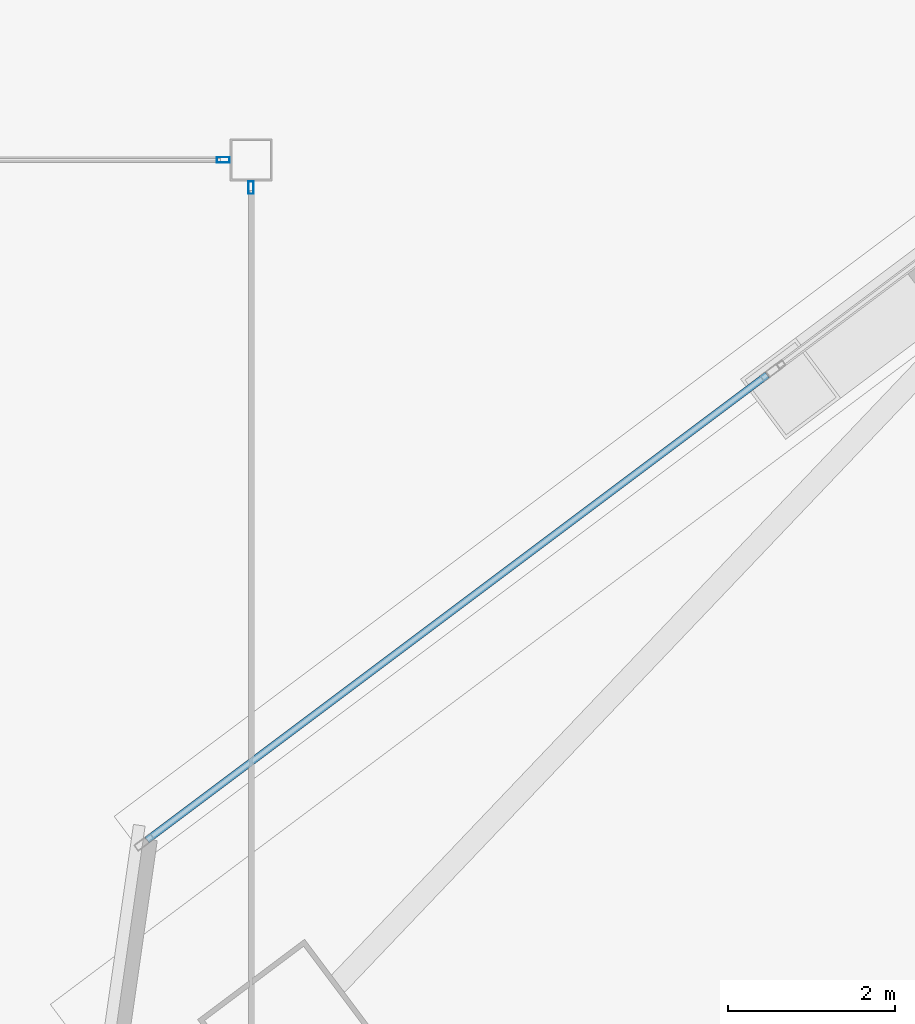
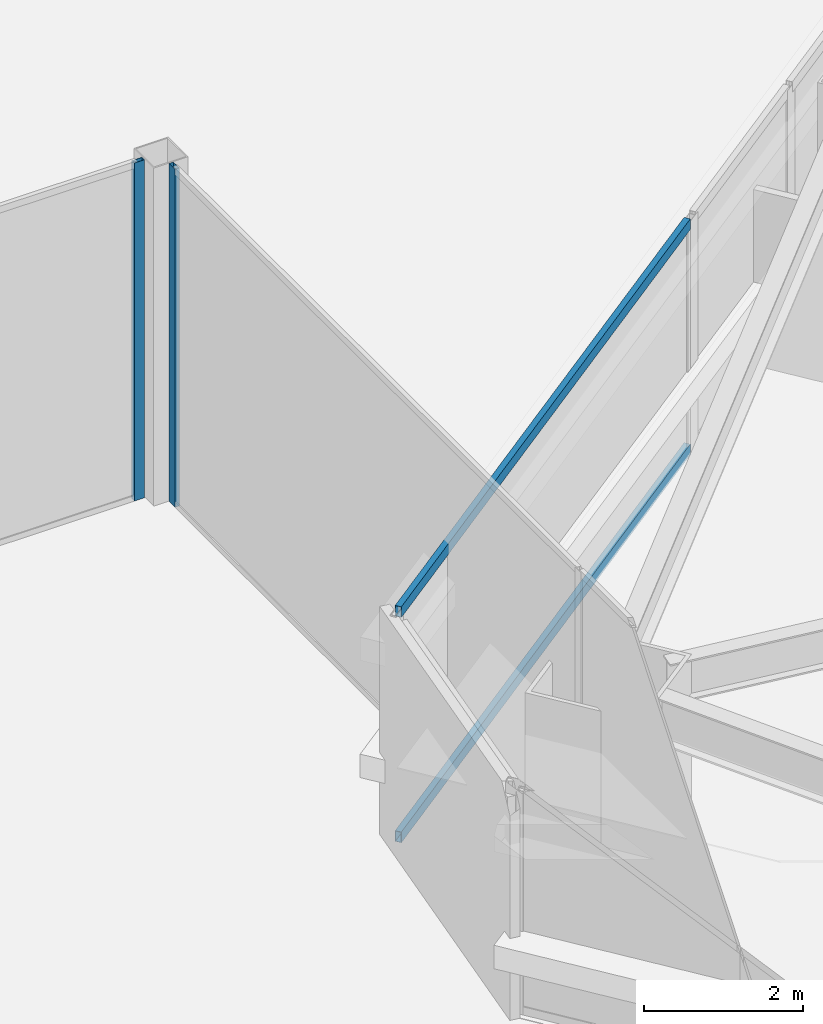
# One storey, part 47 of 83: 4 members, 3 elements without a shape of their own.
"""IFC4 building model written with IfcOpenShell, lengths in metres."""

from ifc_helpers import new_model, si_unit, direction, frame, origin, origin_2d, place, context, subcontext, project, spatial, hollow_rectangle, extrude, material, material_profile, profile_set, type_object, element, aggregate, save


model = new_model("IFC4")

# Units and contexts
model_context = context("Model", 3, precision=1e-05, world=origin(), true_north=direction((0.0, 1.0)))
body_context = subcontext(model_context, "Body", "Model", "MODEL_VIEW")
ifc_project = project(units=[si_unit("LENGTHUNIT", "METRE"), si_unit("AREAUNIT", "SQUARE_METRE"), si_unit("VOLUMEUNIT", "CUBIC_METRE"), si_unit("PLANEANGLEUNIT", "RADIAN"), si_unit("MASSUNIT", "GRAM", prefix="KILO")], contexts=[model_context])

# Site, building, storey
site_placement = place(None, origin())
site = spatial("IfcSite", under=ifc_project, at=site_placement, CompositionType="ELEMENT")
building_placement = place(site_placement, origin())
building = spatial("IfcBuilding", under=site, at=building_placement, Name="Tashvorn Skyway Center", CompositionType="ELEMENT")
storey_placement = place(building_placement, frame((0.0, 0.0, 24.60009765625)))
storey = spatial("IfcBuildingStorey", under=building, at=storey_placement, Name="L05", CompositionType="ELEMENT", Elevation=24.60009765625)

# Curtain wall, member
ifc_material = material(Name="Thermally broken bronze-anodized aluminium 6063-T6", Category="aluminium")
curtain_wall_type_1 = type_object("IfcCurtainWallType", Name="CW-CW-SKY", PredefinedType="NOTDEFINED", material=ifc_material)
curtain_wall_1_placement = place(storey_placement, origin())
curtain_wall_1 = element("IfcCurtainWall", 1, at=curtain_wall_1_placement, inside=storey, type_object=curtain_wall_type_1, Name="Station Concourse Monitor East Clerestory Curtain Wall", PredefinedType="NOTDEFINED")
ifc_material_profile_1 = material_profile(ifc_material, hollow_rectangle(XDim=0.06494140625, YDim=0.14990234375, WallThickness=0.00390625, at=origin_2d()), Name="ALU-MULL-65x150")
ifc_profile_set_1 = profile_set([ifc_material_profile_1], Name="Thermally broken bronze-anodized aluminium 6063-T6")
member_type_1 = type_object("IfcMemberType", Name="CWM-CW-SKY", PredefinedType="MULLION", material=ifc_profile_set_1)
member_1_placement = place(storey_placement, frame((87.199951171875, 45.867431640625, 0.0), z_axis=(0.0, 0.0, 1.0), x_axis=(1.0, 0.0, 0.0)))
member_1 = element("IfcMember", 2, at=member_1_placement, type_object=member_type_1, Name="CW-SKY mullion 1", PredefinedType="MULLION", context=body_context, shape_type="SweptSolid", body=[
    extrude(hollow_rectangle(XDim=0.06494140625, YDim=0.14990234375, WallThickness=0.00390625, at=origin_2d()), origin(), (0.0, 0.0, 1.0), 5.199951171875),
])
aggregate(curtain_wall_1, [member_1])

curtain_wall_2_placement = place(storey_placement, origin())
curtain_wall_2 = element("IfcCurtainWall", 3, at=curtain_wall_2_placement, inside=storey, type_object=curtain_wall_type_1, Name="Station Concourse Monitor North Clerestory Curtain Wall", PredefinedType="NOTDEFINED")
member_2_placement = place(storey_placement, frame((86.867431640625, 46.199951171875, 0.0), z_axis=(0.0, 0.0, 1.0), x_axis=(0.0, 1.0, 0.0)))
member_2 = element("IfcMember", 4, at=member_2_placement, type_object=member_type_1, Name="CW-SKY mullion 3", PredefinedType="MULLION", context=body_context, shape_type="SweptSolid", body=[
    extrude(hollow_rectangle(XDim=0.06494140625, YDim=0.14990234375, WallThickness=0.00390625, at=origin_2d()), origin(), (0.0, 0.0, 1.0), 5.199951171875),
])
aggregate(curtain_wall_2, [member_2])

# Curtain wall, members
curtain_wall_type_2 = type_object("IfcCurtainWallType", Name="CW-CW-Z1", PredefinedType="NOTDEFINED", material=ifc_material)
curtain_wall_3_placement = place(storey_placement, origin())
curtain_wall_3 = element("IfcCurtainWall", 5, at=curtain_wall_3_placement, inside=storey, type_object=curtain_wall_type_2, Name="Tower 2 L05 North Unitised Curtain Wall Glazing Group 1", PredefinedType="NOTDEFINED")
ifc_material_profile_2 = material_profile(ifc_material, hollow_rectangle(XDim=0.0849609375, YDim=0.1650390625, WallThickness=0.0048828125, at=origin_2d()), Name="ALU-TRAN-85x165")
ifc_profile_set_2 = profile_set([ifc_material_profile_2], Name="Thermally broken bronze-anodized aluminium 6063-T6")
member_type_2 = type_object("IfcMemberType", Name="CWT-CW-Z1", PredefinedType="USERDEFINED", material=ifc_profile_set_2)
member_3_placement = place(storey_placement, frame((85.9560546875, 38.06689453125, 0.04248046875), z_axis=(0.8, 0.6, 0.0), x_axis=(-0.6, 0.8, 0.0)))
member_3 = element("IfcMember", 6, at=member_3_placement, type_object=member_type_2, Name="CW-Z1 transom 1.1", ObjectType="TRANSOM", PredefinedType="USERDEFINED", context=body_context, shape_type="SweptSolid", body=[
    extrude(hollow_rectangle(XDim=0.0849609375, YDim=0.1650390625, WallThickness=0.0048828125, at=origin_2d()), origin(), (0.0, 0.0, 1.0), 9.27001953125),
])
member_4_placement = place(storey_placement, frame((85.9560546875, 38.06689453125, 3.50732421875), z_axis=(0.8, 0.6, 0.0), x_axis=(-0.6, 0.8, 0.0)))
member_4 = element("IfcMember", 7, at=member_4_placement, type_object=member_type_2, Name="CW-Z1 transom 1.2", ObjectType="TRANSOM", PredefinedType="USERDEFINED", context=body_context, shape_type="SweptSolid", body=[
    extrude(hollow_rectangle(XDim=0.0849609375, YDim=0.1650390625, WallThickness=0.0048828125, at=origin_2d()), origin(), (0.0, 0.0, 1.0), 9.27001953125),
])
aggregate(curtain_wall_3, [member_3, member_4])

save(model, "model.ifc")
